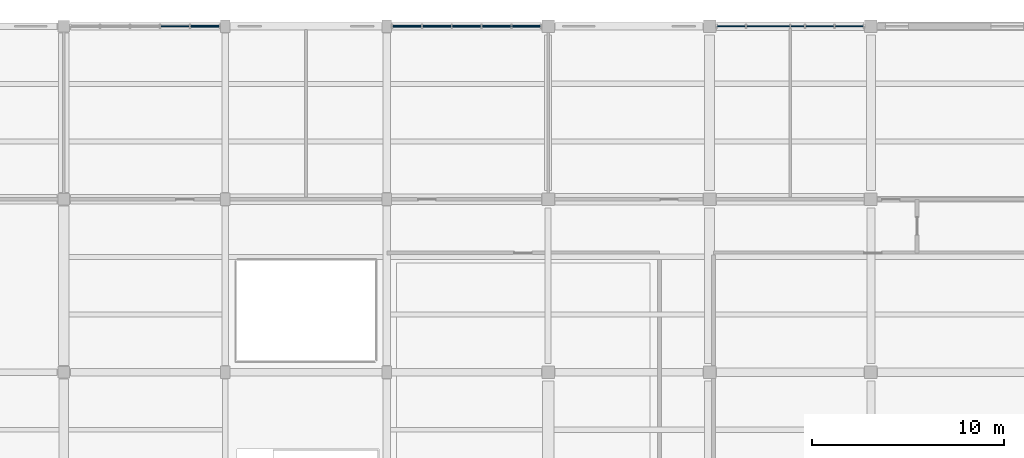
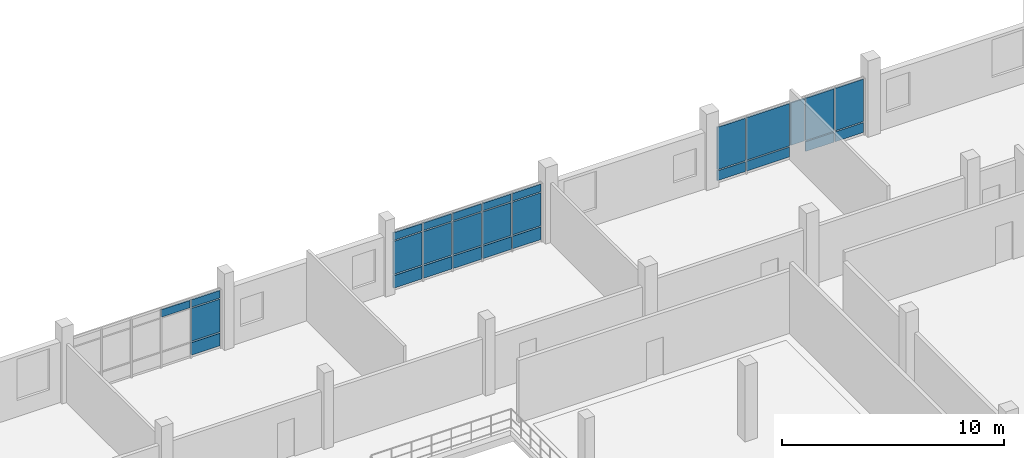
# One storey, part 79 of 101: 28 plates, 3 elements without a shape of their own.
"""IFC4 building model written with IfcOpenShell, lengths in metres."""

from ifc_helpers import new_model, si_unit, direction, frame, origin, origin_2d, place, context, subcontext, project, spatial, rectangle, extrude, material, layer, layer_set, type_object, element, aggregate, save


model = new_model("IFC4")

# Units and contexts
model_context = context("Model", 3, precision=1e-05, world=origin(), true_north=direction((0.0, 1.0)))
body_context = subcontext(model_context, "Body", "Model", "MODEL_VIEW")
ifc_project = project(units=[si_unit("LENGTHUNIT", "METRE"), si_unit("AREAUNIT", "SQUARE_METRE"), si_unit("VOLUMEUNIT", "CUBIC_METRE"), si_unit("PLANEANGLEUNIT", "RADIAN"), si_unit("MASSUNIT", "GRAM", prefix="KILO")], contexts=[model_context])

# Site, building, storey
site_placement = place(None, origin())
site = spatial("IfcSite", under=ifc_project, at=site_placement, CompositionType="ELEMENT")
building_placement = place(site_placement, origin())
building = spatial("IfcBuilding", under=site, at=building_placement, Name="Vireocrest Preparatory School", CompositionType="ELEMENT")
storey_placement = place(building_placement, frame((0.0, 0.0, 4.800048828125)))
storey = spatial("IfcBuildingStorey", under=building, at=storey_placement, Name="L01", CompositionType="ELEMENT", Elevation=4.800048828125)

# Curtain wall, plates
ifc_material_1 = material(Name="Thermally broken aluminium EN AW-6063-T6", Category="aluminium")
ifc_layer_1 = layer(ifc_material_1, 0.179931640625)
ifc_layer_set_1 = layer_set([ifc_layer_1], Name="Thermally broken aluminium EN AW-6063-T6")
curtain_wall_type = type_object("IfcCurtainWallType", Name="North Street Curtain Wall 8400x4000", PredefinedType="USERDEFINED", material=ifc_layer_set_1)
curtain_wall_1_placement = place(storey_placement, origin())
curtain_wall_1 = element("IfcCurtainWall", 1, at=curtain_wall_1_placement, inside=storey, type_object=curtain_wall_type, Name="Curtain Wall CW05 CW_L01_CW05_0675_1128_048", ObjectType="CURTAIN WALL", PredefinedType="USERDEFINED")
ifc_material_2 = material(Name="Insulated triple low-e tempered safety glass", Category="glass")
ifc_layer_2 = layer(ifc_material_2, 0.074951171875)
ifc_layer_set_2 = layer_set([ifc_layer_2], Name="Insulated triple low-e tempered safety glass")
plate_type_1 = type_object("IfcPlateType", Name="Acoustic Triple-Glazed Lab Curtain Panel 75", PredefinedType="CURTAIN_PANEL", material=ifc_layer_set_2)
plate_1_placement = place(storey_placement, frame((72.98095703125, 112.800048828125, 2.75244140625), z_axis=(0.0, 0.0, 1.0), x_axis=(1.0, 0.0, 0.0)))
plate_1 = element("IfcPlate", 2, at=plate_1_placement, type_object=plate_type_1, Name="CW Panel GL2 CW_L01_CW05_0675_1128_048-4-3", PredefinedType="CURTAIN_PANEL", context=body_context, shape_type="SweptSolid", body=[
    extrude(rectangle(XDim=1.490966796875, YDim=0.074951171875, at=origin_2d()), origin(), (0.0, 0.0, 1.0), 0.409912109375),
])
plate_2_placement = place(storey_placement, frame((74.537109375, 112.800048828125, 0.88232421875), z_axis=(0.0, 0.0, 1.0), x_axis=(1.0, 0.0, 0.0)))
plate_2 = element("IfcPlate", 3, at=plate_2_placement, type_object=plate_type_1, Name="CW Panel GL2 CW_L01_CW05_0675_1128_048-5-2", PredefinedType="CURTAIN_PANEL", context=body_context, shape_type="SweptSolid", body=[
    extrude(rectangle(XDim=1.490966796875, YDim=0.074951171875, at=origin_2d()), origin(), (0.0, 0.0, 1.0), 1.804931640625),
])
plate_3_placement = place(storey_placement, frame((74.537109375, 112.800048828125, 2.75244140625), z_axis=(0.0, 0.0, 1.0), x_axis=(1.0, 0.0, 0.0)))
plate_3 = element("IfcPlate", 4, at=plate_3_placement, type_object=plate_type_1, Name="CW Panel GL2 CW_L01_CW05_0675_1128_048-5-3", PredefinedType="CURTAIN_PANEL", context=body_context, shape_type="SweptSolid", body=[
    extrude(rectangle(XDim=1.490966796875, YDim=0.074951171875, at=origin_2d()), origin(), (0.0, 0.0, 1.0), 0.409912109375),
])

curtain_wall_2_placement = place(storey_placement, origin())
curtain_wall_2 = element("IfcCurtainWall", 5, at=curtain_wall_2_placement, inside=storey, type_object=curtain_wall_type, Name="Curtain Wall CW05 CW_L01_CW05_0842_1128_048", ObjectType="CURTAIN WALL", PredefinedType="USERDEFINED")
plate_4_placement = place(storey_placement, frame((85.060546875, 112.800048828125, 0.88232421875), z_axis=(0.0, 0.0, 1.0), x_axis=(1.0, 0.0, 0.0)))
plate_4 = element("IfcPlate", 6, at=plate_4_placement, type_object=plate_type_1, Name="CW Panel GL2 CW_L01_CW05_0842_1128_048-1-2", PredefinedType="CURTAIN_PANEL", context=body_context, shape_type="SweptSolid", body=[
    extrude(rectangle(XDim=1.486083984375, YDim=0.074951171875, at=origin_2d()), origin(), (0.0, 0.0, 1.0), 1.804931640625),
])
plate_5_placement = place(storey_placement, frame((85.060546875, 112.800048828125, 2.75244140625), z_axis=(0.0, 0.0, 1.0), x_axis=(1.0, 0.0, 0.0)))
plate_5 = element("IfcPlate", 7, at=plate_5_placement, type_object=plate_type_1, Name="CW Panel GL2 CW_L01_CW05_0842_1128_048-1-3", PredefinedType="CURTAIN_PANEL", context=body_context, shape_type="SweptSolid", body=[
    extrude(rectangle(XDim=1.486083984375, YDim=0.074951171875, at=origin_2d()), origin(), (0.0, 0.0, 1.0), 0.409912109375),
])
plate_6_placement = place(storey_placement, frame((86.611572265625, 112.800048828125, 0.88232421875), z_axis=(0.0, 0.0, 1.0), x_axis=(1.0, 0.0, 0.0)))
plate_6 = element("IfcPlate", 8, at=plate_6_placement, type_object=plate_type_1, Name="CW Panel GL2 CW_L01_CW05_0842_1128_048-2-2", PredefinedType="CURTAIN_PANEL", context=body_context, shape_type="SweptSolid", body=[
    extrude(rectangle(XDim=1.486083984375, YDim=0.074951171875, at=origin_2d()), origin(), (0.0, 0.0, 1.0), 1.804931640625),
])
plate_7_placement = place(storey_placement, frame((86.611572265625, 112.800048828125, 2.75244140625), z_axis=(0.0, 0.0, 1.0), x_axis=(1.0, 0.0, 0.0)))
plate_7 = element("IfcPlate", 9, at=plate_7_placement, type_object=plate_type_1, Name="CW Panel GL2 CW_L01_CW05_0842_1128_048-2-3", PredefinedType="CURTAIN_PANEL", context=body_context, shape_type="SweptSolid", body=[
    extrude(rectangle(XDim=1.486083984375, YDim=0.074951171875, at=origin_2d()), origin(), (0.0, 0.0, 1.0), 0.409912109375),
])
plate_8_placement = place(storey_placement, frame((88.16259765625, 112.800048828125, 0.88232421875), z_axis=(0.0, 0.0, 1.0), x_axis=(1.0, 0.0, 0.0)))
plate_8 = element("IfcPlate", 10, at=plate_8_placement, type_object=plate_type_1, Name="CW Panel GL2 CW_L01_CW05_0842_1128_048-3-2", PredefinedType="CURTAIN_PANEL", context=body_context, shape_type="SweptSolid", body=[
    extrude(rectangle(XDim=1.486083984375, YDim=0.074951171875, at=origin_2d()), origin(), (0.0, 0.0, 1.0), 1.804931640625),
])
plate_9_placement = place(storey_placement, frame((88.16259765625, 112.800048828125, 2.75244140625), z_axis=(0.0, 0.0, 1.0), x_axis=(1.0, 0.0, 0.0)))
plate_9 = element("IfcPlate", 11, at=plate_9_placement, type_object=plate_type_1, Name="CW Panel GL2 CW_L01_CW05_0842_1128_048-3-3", PredefinedType="CURTAIN_PANEL", context=body_context, shape_type="SweptSolid", body=[
    extrude(rectangle(XDim=1.486083984375, YDim=0.074951171875, at=origin_2d()), origin(), (0.0, 0.0, 1.0), 0.409912109375),
])
plate_10_placement = place(storey_placement, frame((89.71337890625, 112.800048828125, 0.88232421875), z_axis=(0.0, 0.0, 1.0), x_axis=(1.0, 0.0, 0.0)))
plate_10 = element("IfcPlate", 12, at=plate_10_placement, type_object=plate_type_1, Name="CW Panel GL2 CW_L01_CW05_0842_1128_048-4-2", PredefinedType="CURTAIN_PANEL", context=body_context, shape_type="SweptSolid", body=[
    extrude(rectangle(XDim=1.486083984375, YDim=0.074951171875, at=origin_2d()), origin(), (0.0, 0.0, 1.0), 1.804931640625),
])
plate_11_placement = place(storey_placement, frame((89.71337890625, 112.800048828125, 2.75244140625), z_axis=(0.0, 0.0, 1.0), x_axis=(1.0, 0.0, 0.0)))
plate_11 = element("IfcPlate", 13, at=plate_11_placement, type_object=plate_type_1, Name="CW Panel GL2 CW_L01_CW05_0842_1128_048-4-3", PredefinedType="CURTAIN_PANEL", context=body_context, shape_type="SweptSolid", body=[
    extrude(rectangle(XDim=1.486083984375, YDim=0.074951171875, at=origin_2d()), origin(), (0.0, 0.0, 1.0), 0.409912109375),
])
plate_12_placement = place(storey_placement, frame((91.264404296875, 112.800048828125, 0.88232421875), z_axis=(0.0, 0.0, 1.0), x_axis=(1.0, 0.0, 0.0)))
plate_12 = element("IfcPlate", 14, at=plate_12_placement, type_object=plate_type_1, Name="CW Panel GL2 CW_L01_CW05_0842_1128_048-5-2", PredefinedType="CURTAIN_PANEL", context=body_context, shape_type="SweptSolid", body=[
    extrude(rectangle(XDim=1.486083984375, YDim=0.074951171875, at=origin_2d()), origin(), (0.0, 0.0, 1.0), 1.804931640625),
])
plate_13_placement = place(storey_placement, frame((91.264404296875, 112.800048828125, 2.75244140625), z_axis=(0.0, 0.0, 1.0), x_axis=(1.0, 0.0, 0.0)))
plate_13 = element("IfcPlate", 15, at=plate_13_placement, type_object=plate_type_1, Name="CW Panel GL2 CW_L01_CW05_0842_1128_048-5-3", PredefinedType="CURTAIN_PANEL", context=body_context, shape_type="SweptSolid", body=[
    extrude(rectangle(XDim=1.486083984375, YDim=0.074951171875, at=origin_2d()), origin(), (0.0, 0.0, 1.0), 0.409912109375),
])

curtain_wall_3_placement = place(storey_placement, origin())
curtain_wall_3 = element("IfcCurtainWall", 16, at=curtain_wall_3_placement, inside=storey, type_object=curtain_wall_type, Name="Curtain Wall CW05 CW_L01_CW05_1011_1128_048", ObjectType="CURTAIN WALL", PredefinedType="USERDEFINED")
plate_14_placement = place(storey_placement, frame((101.927978515625, 112.800048828125, 0.12744140625), z_axis=(0.0, 0.0, 1.0), x_axis=(1.0, 0.0, 0.0)))
plate_14 = element("IfcPlate", 17, at=plate_14_placement, type_object=plate_type_1, Name="CW Panel GL2 CW_L01_CW05_1011_1128_048-1-1", PredefinedType="CURTAIN_PANEL", context=body_context, shape_type="SweptSolid", body=[
    extrude(rectangle(XDim=1.470947265625, YDim=0.074951171875, at=origin_2d()), origin(), (0.0, 0.0, 1.0), 0.5400390625),
])
plate_15_placement = place(storey_placement, frame((101.927978515625, 112.800048828125, 0.732421875), z_axis=(0.0, 0.0, 1.0), x_axis=(1.0, 0.0, 0.0)))
plate_15 = element("IfcPlate", 18, at=plate_15_placement, type_object=plate_type_1, Name="CW Panel GL2 CW_L01_CW05_1011_1128_048-1-2", PredefinedType="CURTAIN_PANEL", context=body_context, shape_type="SweptSolid", body=[
    extrude(rectangle(XDim=1.470947265625, YDim=0.074951171875, at=origin_2d()), origin(), (0.0, 0.0, 1.0), 2.330078125),
])
plate_16_placement = place(storey_placement, frame((103.847900390625, 112.800048828125, 0.12744140625), z_axis=(0.0, 0.0, 1.0), x_axis=(1.0, 0.0, 0.0)))
plate_16 = element("IfcPlate", 19, at=plate_16_placement, type_object=plate_type_1, Name="CW Panel GL2 CW_L01_CW05_1011_1128_048-2-1", PredefinedType="CURTAIN_PANEL", context=body_context, shape_type="SweptSolid", body=[
    extrude(rectangle(XDim=2.239013671875, YDim=0.074951171875, at=origin_2d()), origin(), (0.0, 0.0, 1.0), 0.5400390625),
])
plate_17_placement = place(storey_placement, frame((103.847900390625, 112.800048828125, 0.732421875), z_axis=(0.0, 0.0, 1.0), x_axis=(1.0, 0.0, 0.0)))
plate_17 = element("IfcPlate", 20, at=plate_17_placement, type_object=plate_type_1, Name="CW Panel GL2 CW_L01_CW05_1011_1128_048-2-2", PredefinedType="CURTAIN_PANEL", context=body_context, shape_type="SweptSolid", body=[
    extrude(rectangle(XDim=2.239013671875, YDim=0.074951171875, at=origin_2d()), origin(), (0.0, 0.0, 1.0), 2.330078125),
])
plate_18_placement = place(storey_placement, frame((105.384033203125, 112.800048828125, 0.732421875), z_axis=(0.0, 0.0, 1.0), x_axis=(1.0, 0.0, 0.0)))
plate_18 = element("IfcPlate", 21, at=plate_18_placement, type_object=plate_type_1, Name="CW Panel GL2 CW_L01_CW05_1011_1128_048-3-2", PredefinedType="CURTAIN_PANEL", context=body_context, shape_type="SweptSolid", body=[
    extrude(rectangle(XDim=0.702880859375, YDim=0.074951171875, at=origin_2d()), origin(), (0.0, 0.0, 1.0), 2.330078125),
])
plate_19_placement = place(storey_placement, frame((106.535888671875, 112.800048828125, 0.12744140625), z_axis=(0.0, 0.0, 1.0), x_axis=(1.0, 0.0, 0.0)))
plate_19 = element("IfcPlate", 22, at=plate_19_placement, type_object=plate_type_1, Name="CW Panel GL2 CW_L01_CW05_1011_1128_048-4-1", PredefinedType="CURTAIN_PANEL", context=body_context, shape_type="SweptSolid", body=[
    extrude(rectangle(XDim=1.470947265625, YDim=0.074951171875, at=origin_2d()), origin(), (0.0, 0.0, 1.0), 0.5400390625),
])
plate_20_placement = place(storey_placement, frame((106.535888671875, 112.800048828125, 0.732421875), z_axis=(0.0, 0.0, 1.0), x_axis=(1.0, 0.0, 0.0)))
plate_20 = element("IfcPlate", 23, at=plate_20_placement, type_object=plate_type_1, Name="CW Panel GL2 CW_L01_CW05_1011_1128_048-4-2", PredefinedType="CURTAIN_PANEL", context=body_context, shape_type="SweptSolid", body=[
    extrude(rectangle(XDim=1.470947265625, YDim=0.074951171875, at=origin_2d()), origin(), (0.0, 0.0, 1.0), 2.330078125),
])
plate_21_placement = place(storey_placement, frame((108.072021484375, 112.800048828125, 0.12744140625), z_axis=(0.0, 0.0, 1.0), x_axis=(1.0, 0.0, 0.0)))
plate_21 = element("IfcPlate", 24, at=plate_21_placement, type_object=plate_type_1, Name="CW Panel GL2 CW_L01_CW05_1011_1128_048-5-1", PredefinedType="CURTAIN_PANEL", context=body_context, shape_type="SweptSolid", body=[
    extrude(rectangle(XDim=1.470947265625, YDim=0.074951171875, at=origin_2d()), origin(), (0.0, 0.0, 1.0), 0.5400390625),
])
plate_22_placement = place(storey_placement, frame((108.072021484375, 112.800048828125, 0.732421875), z_axis=(0.0, 0.0, 1.0), x_axis=(1.0, 0.0, 0.0)))
plate_22 = element("IfcPlate", 25, at=plate_22_placement, type_object=plate_type_1, Name="CW Panel GL2 CW_L01_CW05_1011_1128_048-5-2", PredefinedType="CURTAIN_PANEL", context=body_context, shape_type="SweptSolid", body=[
    extrude(rectangle(XDim=1.470947265625, YDim=0.074951171875, at=origin_2d()), origin(), (0.0, 0.0, 1.0), 2.330078125),
])
aggregate(curtain_wall_3, [plate_14, plate_15, plate_16, plate_17, plate_18, plate_19, plate_20, plate_21, plate_22])

# Plate
ifc_material_3 = material(Name="Painted white aluminium cladding EN AW-6063-T6", Category="aluminium")
ifc_layer_3 = layer(ifc_material_3, 0.114990234375)
ifc_layer_set_3 = layer_set([ifc_layer_3], Name="Painted white aluminium cladding EN AW-6063-T6")
plate_type_2 = type_object("IfcPlateType", Name="Insulated White Spandrel Curtain Panel 115", PredefinedType="CURTAIN_PANEL", material=ifc_layer_set_3)
plate_23_placement = place(storey_placement, frame((74.537109375, 112.800048828125, 0.12744140625), z_axis=(0.0, 0.0, 1.0), x_axis=(1.0, 0.0, 0.0)))
plate_23 = element("IfcPlate", 26, at=plate_23_placement, type_object=plate_type_2, Name="CW Panel SP2 CW_L01_CW05_0675_1128_048-5-1", PredefinedType="CURTAIN_PANEL", context=body_context, shape_type="SweptSolid", body=[
    extrude(rectangle(XDim=1.490966796875, YDim=0.114990234375, at=origin_2d()), origin(), (0.0, 0.0, 1.0), 0.68994140625),
])

aggregate(curtain_wall_1, [plate_1, plate_23, plate_2, plate_3])

plate_24_placement = place(storey_placement, frame((85.060546875, 112.800048828125, 0.12744140625), z_axis=(0.0, 0.0, 1.0), x_axis=(1.0, 0.0, 0.0)))
plate_24 = element("IfcPlate", 27, at=plate_24_placement, type_object=plate_type_2, Name="CW Panel SP2 CW_L01_CW05_0842_1128_048-1-1", PredefinedType="CURTAIN_PANEL", context=body_context, shape_type="SweptSolid", body=[
    extrude(rectangle(XDim=1.486083984375, YDim=0.114990234375, at=origin_2d()), origin(), (0.0, 0.0, 1.0), 0.68994140625),
])

plate_25_placement = place(storey_placement, frame((86.611572265625, 112.800048828125, 0.12744140625), z_axis=(0.0, 0.0, 1.0), x_axis=(1.0, 0.0, 0.0)))
plate_25 = element("IfcPlate", 28, at=plate_25_placement, type_object=plate_type_2, Name="CW Panel SP2 CW_L01_CW05_0842_1128_048-2-1", PredefinedType="CURTAIN_PANEL", context=body_context, shape_type="SweptSolid", body=[
    extrude(rectangle(XDim=1.486083984375, YDim=0.114990234375, at=origin_2d()), origin(), (0.0, 0.0, 1.0), 0.68994140625),
])

plate_26_placement = place(storey_placement, frame((88.16259765625, 112.800048828125, 0.12744140625), z_axis=(0.0, 0.0, 1.0), x_axis=(1.0, 0.0, 0.0)))
plate_26 = element("IfcPlate", 29, at=plate_26_placement, type_object=plate_type_2, Name="CW Panel SP2 CW_L01_CW05_0842_1128_048-3-1", PredefinedType="CURTAIN_PANEL", context=body_context, shape_type="SweptSolid", body=[
    extrude(rectangle(XDim=1.486083984375, YDim=0.114990234375, at=origin_2d()), origin(), (0.0, 0.0, 1.0), 0.68994140625),
])

plate_27_placement = place(storey_placement, frame((89.71337890625, 112.800048828125, 0.12744140625), z_axis=(0.0, 0.0, 1.0), x_axis=(1.0, 0.0, 0.0)))
plate_27 = element("IfcPlate", 30, at=plate_27_placement, type_object=plate_type_2, Name="CW Panel SP2 CW_L01_CW05_0842_1128_048-4-1", PredefinedType="CURTAIN_PANEL", context=body_context, shape_type="SweptSolid", body=[
    extrude(rectangle(XDim=1.486083984375, YDim=0.114990234375, at=origin_2d()), origin(), (0.0, 0.0, 1.0), 0.68994140625),
])

plate_28_placement = place(storey_placement, frame((91.264404296875, 112.800048828125, 0.12744140625), z_axis=(0.0, 0.0, 1.0), x_axis=(1.0, 0.0, 0.0)))
plate_28 = element("IfcPlate", 31, at=plate_28_placement, type_object=plate_type_2, Name="CW Panel SP2 CW_L01_CW05_0842_1128_048-5-1", PredefinedType="CURTAIN_PANEL", context=body_context, shape_type="SweptSolid", body=[
    extrude(rectangle(XDim=1.486083984375, YDim=0.114990234375, at=origin_2d()), origin(), (0.0, 0.0, 1.0), 0.68994140625),
])

aggregate(curtain_wall_2, [plate_24, plate_4, plate_5, plate_25, plate_6, plate_7, plate_26, plate_8, plate_9, plate_27, plate_10, plate_11, plate_28, plate_12, plate_13])

save(model, "model.ifc")
